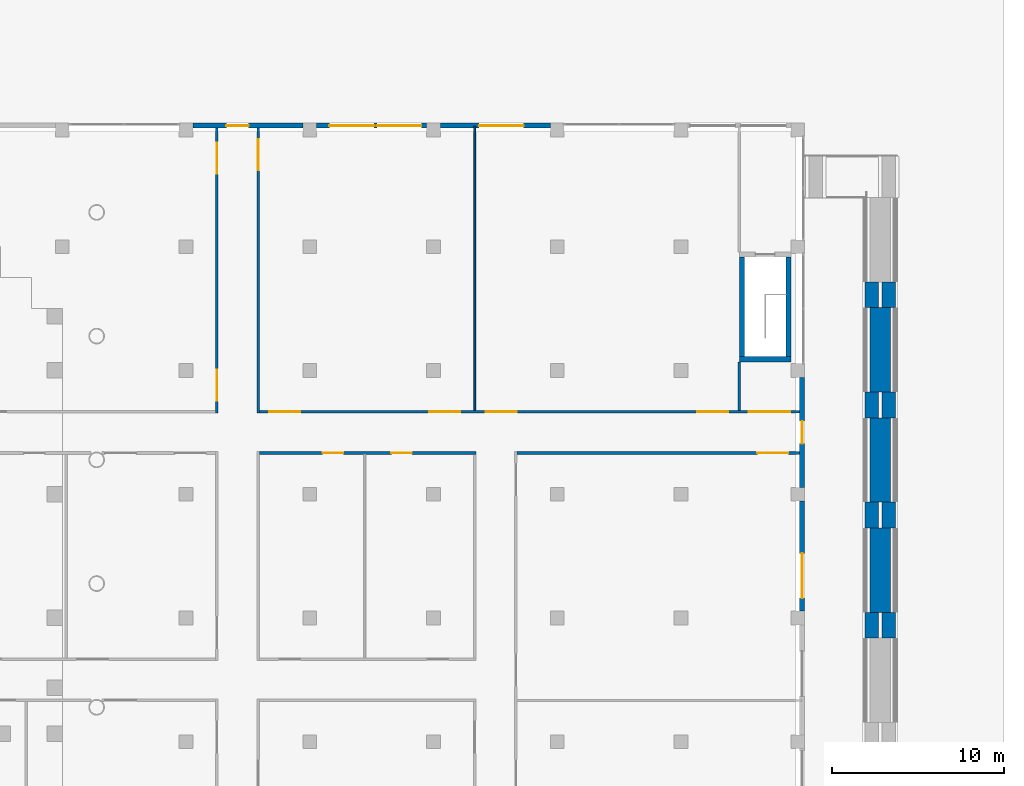
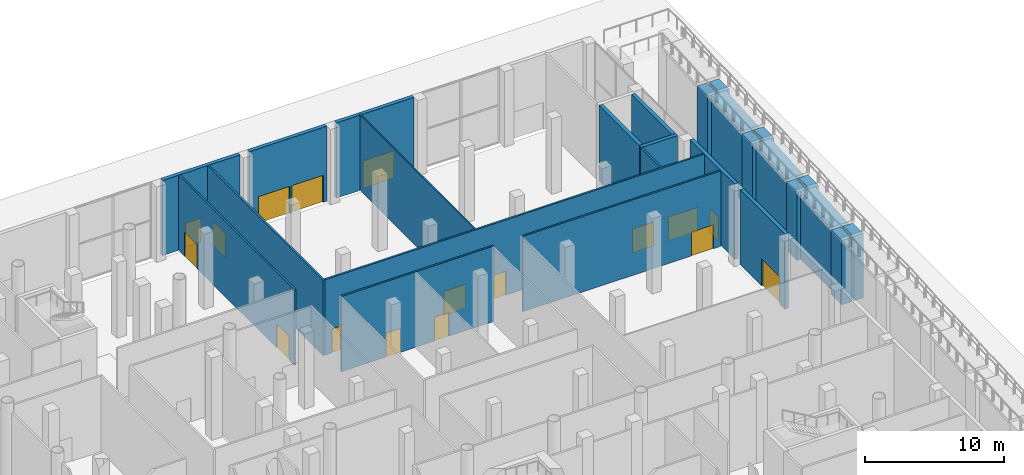
# One storey, part 29 of 44: 26 walls, 17 doors, 17 openings.
"""IFC4 building model written with IfcOpenShell, lengths in metres."""

from ifc_helpers import new_model, si_unit, direction, frame, frame_2d, origin, place, context, subcontext, project, spatial, polyline, rectangle, outline, extrude, material, layer, layer_set, type_object, element, fill, save


model = new_model("IFC4")

# Units and contexts
model_context = context("Model", 3, precision=1e-05, world=origin(), true_north=direction((0.0, 1.0)))
body_context = subcontext(model_context, "Body", "Model", "MODEL_VIEW")
ifc_project = project(units=[si_unit("LENGTHUNIT", "METRE"), si_unit("AREAUNIT", "SQUARE_METRE"), si_unit("VOLUMEUNIT", "CUBIC_METRE"), si_unit("PLANEANGLEUNIT", "RADIAN"), si_unit("MASSUNIT", "GRAM", prefix="KILO")], contexts=[model_context])

# Site, building, storey
site_placement = place(None, origin())
site = spatial("IfcSite", under=ifc_project, at=site_placement, CompositionType="ELEMENT")
building_placement = place(site_placement, origin())
building = spatial("IfcBuilding", under=site, at=building_placement, Name="Fustian Cross Tower", CompositionType="ELEMENT")
storey_placement = place(building_placement, origin())
storey = spatial("IfcBuildingStorey", under=building, at=storey_placement, Name="L00", CompositionType="ELEMENT", Elevation=0.0)

# Wall, openings, doors
ifc_material_1 = material(Name="Plasterboard on steel stud", Category="steel")
ifc_layer_1 = layer(ifc_material_1, 0.14990234375)
ifc_layer_set_1 = layer_set([ifc_layer_1], Name="Plasterboard on steel stud")
wall_type_1 = type_object("IfcWallType", Name="COMPARTMENT WALL 150 EI 60", PredefinedType="PARTITIONING", material=ifc_layer_set_1)
wall_1_placement = place(storey_placement, frame((16.199951171875, 33.52490234375, 0.0), z_axis=(0.0, 0.0, 1.0), x_axis=(0.0, 1.0, 0.0)))
wall_1 = element("IfcWall", 1, at=wall_1_placement, inside=storey, type_object=wall_type_1, Name="Partition 113", PredefinedType="PARTITIONING", context=body_context, shape_type="SweptSolid", body=[
    extrude(rectangle(XDim=16.695068359375, YDim=0.14990234375, at=frame_2d((8.34765625, 0.0))), origin(), (0.0, 0.0, 1.0), 6.60009765625),
])
opening_1_placement = place(wall_1_placement, frame((0.72509765625, 0.0, 0.0)))
opening_1 = element("IfcOpeningElement", 2, at=opening_1_placement, cuts=wall_1, Name="Opening D02057", PredefinedType="OPENING", context=body_context, shape_type="SweptSolid", body=[
    extrude(rectangle(XDim=1.800048828125, YDim=2.10009765625, at=frame_2d((0.89990234375, 1.050048828125))), frame((0.0, 0.0849609375, 0.0), z_axis=(0.0, -1.0, 0.0), x_axis=(1.0, 0.0, 0.0)), (0.0, 0.0, 1.0), 0.169921875),
])
opening_2_placement = place(wall_1_placement, frame((13.925048828125, 0.0, 0.0)))
opening_2 = element("IfcOpeningElement", 3, at=opening_2_placement, cuts=wall_1, Name="Opening D02058", PredefinedType="OPENING", context=body_context, shape_type="SweptSolid", body=[
    extrude(rectangle(XDim=1.800048828125, YDim=2.10009765625, at=frame_2d((0.89990234375, 1.050048828125))), frame((0.0, 0.0849609375, 0.0), z_axis=(0.0, -1.0, 0.0), x_axis=(1.0, 0.0, 0.0)), (0.0, 0.0, 1.0), 0.169921875),
])
ifc_material_2 = material(Name="Timber fire door set", Category="wood")
door_type_1 = type_object("IfcDoorType", Name="FIRE DOUBLE DOOR 1800 FD30S", OperationType="DOUBLE_DOOR_DOUBLE_SWING", PredefinedType="DOOR", material=ifc_material_2)
door_1_placement = place(opening_1_placement, frame((1.800048828125, 0.0, 0.0), z_axis=(0.0, 0.0, 1.0), x_axis=(-1.0, 0.0, 0.0)))
door_1 = element("IfcDoor", 4, at=door_1_placement, inside=storey, type_object=door_type_1, Name="Door D02057", OperationType="DOUBLE_DOOR_DOUBLE_SWING", OverallHeight=2.10009765625, OverallWidth=1.800048828125, PredefinedType="DOOR", context=body_context, shape_type="SweptSolid", body=[
    extrude(rectangle(XDim=1.800048828125, YDim=2.10009765625, at=frame_2d((0.89990234375, 1.050048828125))), frame((0.0, 0.02490234375, 0.0), z_axis=(0.0, -1.0, 0.0), x_axis=(1.0, 0.0, 0.0)), (0.0, 0.0, 1.0), 0.050048828125),
])
fill(opening_1, door_1)
door_2_placement = place(opening_2_placement, frame((1.800048828125, 0.0, 0.0), z_axis=(0.0, 0.0, 1.0), x_axis=(-1.0, 0.0, 0.0)))
door_2 = element("IfcDoor", 5, at=door_2_placement, inside=storey, type_object=door_type_1, Name="Door D02058", OperationType="DOUBLE_DOOR_DOUBLE_SWING", OverallHeight=2.10009765625, OverallWidth=1.800048828125, PredefinedType="DOOR", context=body_context, shape_type="SweptSolid", body=[
    extrude(rectangle(XDim=1.800048828125, YDim=2.10009765625, at=frame_2d((0.89990234375, 1.050048828125))), frame((0.0, 0.02490234375, 0.0), z_axis=(0.0, -1.0, 0.0), x_axis=(1.0, 0.0, 0.0)), (0.0, 0.0, 1.0), 0.050048828125),
])
fill(opening_2, door_2)

wall_2_placement = place(storey_placement, frame((18.675048828125, 31.199951171875, 0.0), z_axis=(0.0, 0.0, 1.0), x_axis=(1.0, 0.0, 0.0)))
wall_2 = element("IfcWall", 6, at=wall_2_placement, inside=storey, type_object=wall_type_1, Name="Partition 124", PredefinedType="PARTITIONING", context=body_context, shape_type="SweptSolid", body=[
    extrude(rectangle(XDim=12.599853515625, YDim=0.14990234375, at=frame_2d((6.2998046875, 0.0))), origin(), (0.0, 0.0, 1.0), 6.60009765625),
])
opening_3_placement = place(wall_2_placement, frame((3.679931640625, 0.0, 0.0)))
opening_3 = element("IfcOpeningElement", 7, at=opening_3_placement, cuts=wall_2, Name="Opening D02049", PredefinedType="OPENING", context=body_context, shape_type="SweptSolid", body=[
    extrude(rectangle(XDim=1.199951171875, YDim=2.10009765625, at=frame_2d((0.60009765625, 1.050048828125))), frame((0.0, 0.0849609375, 0.0), z_axis=(0.0, -1.0, 0.0), x_axis=(1.0, 0.0, 0.0)), (0.0, 0.0, 1.0), 0.169921875),
])
opening_4_placement = place(wall_2_placement, frame((7.675048828125, 0.0, 0.0)))
opening_4 = element("IfcOpeningElement", 8, at=opening_4_placement, cuts=wall_2, Name="Opening D02050", PredefinedType="OPENING", context=body_context, shape_type="SweptSolid", body=[
    extrude(rectangle(XDim=1.199951171875, YDim=2.10009765625, at=frame_2d((0.60009765625, 1.050048828125))), frame((0.0, 0.0849609375, 0.0), z_axis=(0.0, -1.0, 0.0), x_axis=(1.0, 0.0, 0.0)), (0.0, 0.0, 1.0), 0.169921875),
])
ifc_material_3 = material(Name="Timber fire door set", Category="wood")
door_type_2 = type_object("IfcDoorType", Name="FIRE SWING DOOR 1200 FD30S", OperationType="SINGLE_SWING_LEFT", PredefinedType="DOOR", material=ifc_material_3)
door_3_placement = place(opening_3_placement, frame((1.199951171875, 0.0, 0.0), z_axis=(0.0, 0.0, 1.0), x_axis=(-1.0, 0.0, 0.0)))
door_3 = element("IfcDoor", 9, at=door_3_placement, inside=storey, type_object=door_type_2, Name="Door D02049", OperationType="SINGLE_SWING_LEFT", OverallHeight=2.10009765625, OverallWidth=1.199951171875, PredefinedType="DOOR", context=body_context, shape_type="SweptSolid", body=[
    extrude(rectangle(XDim=1.199951171875, YDim=2.10009765625, at=frame_2d((0.60009765625, 1.050048828125))), frame((0.0, 0.02490234375, 0.0), z_axis=(0.0, -1.0, 0.0), x_axis=(1.0, 0.0, 0.0)), (0.0, 0.0, 1.0), 0.050048828125),
])
fill(opening_3, door_3)
door_4_placement = place(opening_4_placement, frame((1.199951171875, 0.0, 0.0), z_axis=(0.0, 0.0, 1.0), x_axis=(-1.0, 0.0, 0.0)))
door_4 = element("IfcDoor", 10, at=door_4_placement, inside=storey, type_object=door_type_2, Name="Door D02050", OperationType="SINGLE_SWING_RIGHT", OverallHeight=2.10009765625, OverallWidth=1.199951171875, PredefinedType="DOOR", context=body_context, shape_type="SweptSolid", body=[
    extrude(rectangle(XDim=1.199951171875, YDim=2.10009765625, at=frame_2d((0.60009765625, 1.050048828125))), frame((0.0, 0.02490234375, 0.0), z_axis=(0.0, -1.0, 0.0), x_axis=(1.0, 0.0, 0.0)), (0.0, 0.0, 1.0), 0.050048828125),
])
fill(opening_4, door_4)

# Wall, opening, door
wall_3_placement = place(storey_placement, frame((18.60009765625, 33.52490234375, 0.0), z_axis=(0.0, 0.0, 1.0), x_axis=(0.0, 1.0, 0.0)))
wall_3 = element("IfcWall", 11, at=wall_3_placement, inside=storey, type_object=wall_type_1, Name="Partition 125", PredefinedType="PARTITIONING", context=body_context, shape_type="SweptSolid", body=[
    extrude(rectangle(XDim=16.695068359375, YDim=0.14990234375, at=frame_2d((8.34765625, 0.0))), origin(), (0.0, 0.0, 1.0), 6.60009765625),
])
opening_5_placement = place(wall_3_placement, frame((14.125, 0.0, 0.0)))
opening_5 = element("IfcOpeningElement", 12, at=opening_5_placement, cuts=wall_3, Name="Opening D02059", PredefinedType="OPENING", context=body_context, shape_type="SweptSolid", body=[
    extrude(rectangle(XDim=1.800048828125, YDim=2.10009765625, at=frame_2d((0.89990234375, 1.050048828125))), frame((0.0, 0.0849609375, 0.0), z_axis=(0.0, -1.0, 0.0), x_axis=(1.0, 0.0, 0.0)), (0.0, 0.0, 1.0), 0.169921875),
])
door_5_placement = place(opening_5_placement, origin())
door_5 = element("IfcDoor", 13, at=door_5_placement, inside=storey, type_object=door_type_1, Name="Door D02059", OperationType="DOUBLE_DOOR_DOUBLE_SWING", OverallHeight=2.10009765625, OverallWidth=1.800048828125, PredefinedType="DOOR", context=body_context, shape_type="SweptSolid", body=[
    extrude(rectangle(XDim=1.800048828125, YDim=2.10009765625, at=frame_2d((0.89990234375, 1.050048828125))), frame((0.0, 0.02490234375, 0.0), z_axis=(0.0, -1.0, 0.0), x_axis=(1.0, 0.0, 0.0)), (0.0, 0.0, 1.0), 0.050048828125),
])
fill(opening_5, door_5)

# Wall, openings, doors
wall_4_placement = place(storey_placement, frame((18.675048828125, 33.60009765625, 0.0), z_axis=(0.0, 0.0, 1.0), x_axis=(1.0, 0.0, 0.0)))
wall_4 = element("IfcWall", 14, at=wall_4_placement, inside=storey, type_object=wall_type_1, Name="Partition 126", PredefinedType="PARTITIONING", context=body_context, shape_type="SweptSolid", body=[
    extrude(rectangle(XDim=31.544921875, YDim=0.14990234375, at=frame_2d((15.7724609375, 0.0))), origin(), (0.0, 0.0, 1.0), 6.60009765625),
])
opening_6_placement = place(wall_4_placement, frame((28.47509765625, 0.0, 0.0)))
opening_6 = element("IfcOpeningElement", 15, at=opening_6_placement, cuts=wall_4, Name="Opening D02025", PredefinedType="OPENING", context=body_context, shape_type="SweptSolid", body=[
    extrude(rectangle(XDim=2.39990234375, YDim=2.10009765625, at=frame_2d((1.199951171875, 1.050048828125))), frame((0.0, 0.0849609375, 0.0), z_axis=(0.0, -1.0, 0.0), x_axis=(1.0, 0.0, 0.0)), (0.0, 0.0, 1.0), 0.169921875),
])
opening_7_placement = place(wall_4_placement, frame((0.574951171875, 0.0, 0.0)))
opening_7 = element("IfcOpeningElement", 16, at=opening_7_placement, cuts=wall_4, Name="Opening D02060", PredefinedType="OPENING", context=body_context, shape_type="SweptSolid", body=[
    extrude(rectangle(XDim=1.800048828125, YDim=2.10009765625, at=frame_2d((0.89990234375, 1.050048828125))), frame((0.0, 0.0849609375, 0.0), z_axis=(0.0, -1.0, 0.0), x_axis=(1.0, 0.0, 0.0)), (0.0, 0.0, 1.0), 0.169921875),
])
opening_8_placement = place(wall_4_placement, frame((9.875, 0.0, 0.0)))
opening_8 = element("IfcOpeningElement", 17, at=opening_8_placement, cuts=wall_4, Name="Opening D02061", PredefinedType="OPENING", context=body_context, shape_type="SweptSolid", body=[
    extrude(rectangle(XDim=1.800048828125, YDim=2.10009765625, at=frame_2d((0.89990234375, 1.050048828125))), frame((0.0, 0.0849609375, 0.0), z_axis=(0.0, -1.0, 0.0), x_axis=(1.0, 0.0, 0.0)), (0.0, 0.0, 1.0), 0.169921875),
])
opening_9_placement = place(wall_4_placement, frame((13.175048828125, 0.0, 0.0)))
opening_9 = element("IfcOpeningElement", 18, at=opening_9_placement, cuts=wall_4, Name="Opening D02062", PredefinedType="OPENING", context=body_context, shape_type="SweptSolid", body=[
    extrude(rectangle(XDim=1.800048828125, YDim=2.10009765625, at=frame_2d((0.89990234375, 1.050048828125))), frame((0.0, 0.0849609375, 0.0), z_axis=(0.0, -1.0, 0.0), x_axis=(1.0, 0.0, 0.0)), (0.0, 0.0, 1.0), 0.169921875),
])
opening_10_placement = place(wall_4_placement, frame((25.47509765625, 0.0, 0.0)))
opening_10 = element("IfcOpeningElement", 19, at=opening_10_placement, cuts=wall_4, Name="Opening D02063", PredefinedType="OPENING", context=body_context, shape_type="SweptSolid", body=[
    extrude(rectangle(XDim=1.800048828125, YDim=2.10009765625, at=frame_2d((0.89990234375, 1.050048828125))), frame((0.0, 0.0849609375, 0.0), z_axis=(0.0, -1.0, 0.0), x_axis=(1.0, 0.0, 0.0)), (0.0, 0.0, 1.0), 0.169921875),
])
door_6_placement = place(opening_7_placement, frame((1.800048828125, 0.0, 0.0), z_axis=(0.0, 0.0, 1.0), x_axis=(-1.0, 0.0, 0.0)))
door_6 = element("IfcDoor", 20, at=door_6_placement, inside=storey, type_object=door_type_1, Name="Door D02060", OperationType="DOUBLE_DOOR_DOUBLE_SWING", OverallHeight=2.10009765625, OverallWidth=1.800048828125, PredefinedType="DOOR", context=body_context, shape_type="SweptSolid", body=[
    extrude(rectangle(XDim=1.800048828125, YDim=2.10009765625, at=frame_2d((0.89990234375, 1.050048828125))), frame((0.0, 0.02490234375, 0.0), z_axis=(0.0, -1.0, 0.0), x_axis=(1.0, 0.0, 0.0)), (0.0, 0.0, 1.0), 0.050048828125),
])
fill(opening_7, door_6)
door_7_placement = place(opening_8_placement, frame((1.800048828125, 0.0, 0.0), z_axis=(0.0, 0.0, 1.0), x_axis=(-1.0, 0.0, 0.0)))
door_7 = element("IfcDoor", 21, at=door_7_placement, inside=storey, type_object=door_type_1, Name="Door D02061", OperationType="DOUBLE_DOOR_DOUBLE_SWING", OverallHeight=2.10009765625, OverallWidth=1.800048828125, PredefinedType="DOOR", context=body_context, shape_type="SweptSolid", body=[
    extrude(rectangle(XDim=1.800048828125, YDim=2.10009765625, at=frame_2d((0.89990234375, 1.050048828125))), frame((0.0, 0.02490234375, 0.0), z_axis=(0.0, -1.0, 0.0), x_axis=(1.0, 0.0, 0.0)), (0.0, 0.0, 1.0), 0.050048828125),
])
fill(opening_8, door_7)
door_8_placement = place(opening_9_placement, frame((1.800048828125, 0.0, 0.0), z_axis=(0.0, 0.0, 1.0), x_axis=(-1.0, 0.0, 0.0)))
door_8 = element("IfcDoor", 22, at=door_8_placement, inside=storey, type_object=door_type_1, Name="Door D02062", OperationType="DOUBLE_DOOR_DOUBLE_SWING", OverallHeight=2.10009765625, OverallWidth=1.800048828125, PredefinedType="DOOR", context=body_context, shape_type="SweptSolid", body=[
    extrude(rectangle(XDim=1.800048828125, YDim=2.10009765625, at=frame_2d((0.89990234375, 1.050048828125))), frame((0.0, 0.02490234375, 0.0), z_axis=(0.0, -1.0, 0.0), x_axis=(1.0, 0.0, 0.0)), (0.0, 0.0, 1.0), 0.050048828125),
])
fill(opening_9, door_8)
door_9_placement = place(opening_10_placement, frame((1.800048828125, 0.0, 0.0), z_axis=(0.0, 0.0, 1.0), x_axis=(-1.0, 0.0, 0.0)))
door_9 = element("IfcDoor", 23, at=door_9_placement, inside=storey, type_object=door_type_1, Name="Door D02063", OperationType="DOUBLE_DOOR_DOUBLE_SWING", OverallHeight=2.10009765625, OverallWidth=1.800048828125, PredefinedType="DOOR", context=body_context, shape_type="SweptSolid", body=[
    extrude(rectangle(XDim=1.800048828125, YDim=2.10009765625, at=frame_2d((0.89990234375, 1.050048828125))), frame((0.0, 0.02490234375, 0.0), z_axis=(0.0, -1.0, 0.0), x_axis=(1.0, 0.0, 0.0)), (0.0, 0.0, 1.0), 0.050048828125),
])
fill(opening_10, door_9)
ifc_material_4 = material(Name="Timber fire door set", Category="wood")
door_type_3 = type_object("IfcDoorType", Name="FIRE DOUBLE DOOR 2400 FD30S", OperationType="DOUBLE_DOOR_DOUBLE_SWING", PredefinedType="DOOR", material=ifc_material_4)
door_10_placement = place(opening_6_placement, frame((2.39990234375, 0.0, 0.0), z_axis=(0.0, 0.0, 1.0), x_axis=(-1.0, 0.0, 0.0)))
door_10 = element("IfcDoor", 24, at=door_10_placement, inside=storey, type_object=door_type_3, Name="Door D02025", OperationType="DOUBLE_DOOR_DOUBLE_SWING", OverallHeight=2.10009765625, OverallWidth=2.39990234375, PredefinedType="DOOR", context=body_context, shape_type="SweptSolid", body=[
    extrude(rectangle(XDim=2.39990234375, YDim=2.10009765625, at=frame_2d((1.199951171875, 1.050048828125))), frame((0.0, 0.02490234375, 0.0), z_axis=(0.0, -1.0, 0.0), x_axis=(1.0, 0.0, 0.0)), (0.0, 0.0, 1.0), 0.050048828125),
])
fill(opening_6, door_10)

# Wall, opening, door
wall_5_placement = place(storey_placement, frame((33.675048828125, 31.199951171875, 0.0), z_axis=(0.0, 0.0, 1.0), x_axis=(1.0, 0.0, 0.0)))
wall_5 = element("IfcWall", 25, at=wall_5_placement, inside=storey, type_object=wall_type_1, Name="Partition 147", PredefinedType="PARTITIONING", context=body_context, shape_type="SweptSolid", body=[
    extrude(rectangle(XDim=16.544921875, YDim=0.14990234375, at=frame_2d((8.2724609375, 0.0))), origin(), (0.0, 0.0, 1.0), 6.60009765625),
])
opening_11_placement = place(wall_5_placement, frame((13.97509765625, 0.0, 0.0)))
opening_11 = element("IfcOpeningElement", 26, at=opening_11_placement, cuts=wall_5, Name="Opening D02055", PredefinedType="OPENING", context=body_context, shape_type="SweptSolid", body=[
    extrude(rectangle(XDim=1.800048828125, YDim=2.10009765625, at=frame_2d((0.89990234375, 1.050048828125))), frame((0.0, 0.0849609375, 0.0), z_axis=(0.0, -1.0, 0.0), x_axis=(1.0, 0.0, 0.0)), (0.0, 0.0, 1.0), 0.169921875),
])
door_11_placement = place(opening_11_placement, origin())
door_11 = element("IfcDoor", 27, at=door_11_placement, inside=storey, type_object=door_type_1, Name="Door D02055", OperationType="DOUBLE_DOOR_DOUBLE_SWING", OverallHeight=2.10009765625, OverallWidth=1.800048828125, PredefinedType="DOOR", context=body_context, shape_type="SweptSolid", body=[
    extrude(rectangle(XDim=1.800048828125, YDim=2.10009765625, at=frame_2d((0.89990234375, 1.050048828125))), frame((0.0, 0.02490234375, 0.0), z_axis=(0.0, -1.0, 0.0), x_axis=(1.0, 0.0, 0.0)), (0.0, 0.0, 1.0), 0.050048828125),
])
fill(opening_11, door_11)

# Wall
wall_6_placement = place(storey_placement, frame((46.60009765625, 33.675048828125, 0.0), z_axis=(0.0, 0.0, 1.0), x_axis=(0.0, 1.0, 0.0)))
element("IfcWall", 28, at=wall_6_placement, inside=storey, type_object=wall_type_1, Name="Partition 153", PredefinedType="PARTITIONING", context=body_context, shape_type="SweptSolid", body=[
    extrude(rectangle(XDim=2.824951171875, YDim=0.14990234375, at=frame_2d((1.41259765625, 0.0))), origin(), (0.0, 0.0, 1.0), 6.60009765625),
])

# Wall, opening, door
ifc_material_5 = material(Name="Dark rainscreen cladding on blockwork", Category="masonry")
ifc_layer_2 = layer(ifc_material_5, 0.300048828125)
ifc_layer_set_2 = layer_set([ifc_layer_2], Name="Dark rainscreen cladding on blockwork")
wall_type_2 = type_object("IfcWallType", Name="EXTERNAL WALL 300 CLADDING", PredefinedType="SOLIDWALL", material=ifc_layer_set_2)
wall_7_placement = place(storey_placement, frame((50.25, 22.0, 0.0), z_axis=(0.0, 0.0, 1.0), x_axis=(0.0, 1.0, 0.0)))
wall_7 = element("IfcWall", 29, at=wall_7_placement, inside=storey, type_object=wall_type_2, Name="External wall E11", PredefinedType="SOLIDWALL", context=body_context, shape_type="SweptSolid", body=[
    extrude(rectangle(XDim=6.39990234375, YDim=0.300048828125, at=frame_2d((3.199951171875, 0.0))), origin(), (0.0, 0.0, 1.0), 6.60009765625),
])
opening_12_placement = place(wall_7_placement, frame((0.75, 0.0, 0.0)))
opening_12 = element("IfcOpeningElement", 30, at=opening_12_placement, cuts=wall_7, Name="Opening EDP27", PredefinedType="OPENING", context=body_context, shape_type="SweptSolid", body=[
    extrude(rectangle(XDim=2.60009765625, YDim=2.39990234375, at=frame_2d((1.300048828125, 1.199951171875))), frame((0.0, 0.159912109375, 0.0), z_axis=(0.0, -1.0, 0.0), x_axis=(1.0, 0.0, 0.0)), (0.0, 0.0, 1.0), 0.320068359375),
])
ifc_material_6 = material(Name="Aluminium and glass", Category="aluminium")
door_type_4 = type_object("IfcDoorType", Name="ENTRANCE DOOR 2600", OperationType="DOUBLE_DOOR_SINGLE_SWING", PredefinedType="DOOR", material=ifc_material_6)
door_12_placement = place(opening_12_placement, frame((2.60009765625, 0.0, 0.0), z_axis=(0.0, 0.0, 1.0), x_axis=(-1.0, 0.0, 0.0)))
door_12 = element("IfcDoor", 31, at=door_12_placement, inside=storey, type_object=door_type_4, Name="Exit door 27", OperationType="DOUBLE_DOOR_DOUBLE_SWING", OverallHeight=2.39990234375, OverallWidth=2.60009765625, PredefinedType="DOOR", context=body_context, shape_type="SweptSolid", body=[
    extrude(rectangle(XDim=2.60009765625, YDim=2.39990234375, at=frame_2d((1.300048828125, 1.199951171875))), frame((0.0, 0.02490234375, 0.0), z_axis=(0.0, -1.0, 0.0), x_axis=(1.0, 0.0, 0.0)), (0.0, 0.0, 1.0), 0.050048828125),
])
fill(opening_12, door_12)

wall_8_placement = place(storey_placement, frame((50.25, 29.199951171875, 0.0), z_axis=(0.0, 0.0, 1.0), x_axis=(0.0, 1.0, 0.0)))
wall_8 = element("IfcWall", 32, at=wall_8_placement, inside=storey, type_object=wall_type_2, Name="External wall E12", PredefinedType="SOLIDWALL", context=body_context, shape_type="SweptSolid", body=[
    extrude(rectangle(XDim=6.400146484375, YDim=0.300048828125, at=frame_2d((3.2001953125, 0.0))), origin(), (0.0, 0.0, 1.0), 6.60009765625),
])
opening_13_placement = place(wall_8_placement, frame((2.550048828125, 0.0, 0.0)))
opening_13 = element("IfcOpeningElement", 33, at=opening_13_placement, cuts=wall_8, Name="Opening EDP28", PredefinedType="OPENING", context=body_context, shape_type="SweptSolid", body=[
    extrude(rectangle(XDim=1.300048828125, YDim=2.10009765625, at=frame_2d((0.64990234375, 1.050048828125))), frame((0.0, 0.159912109375, 0.0), z_axis=(0.0, -1.0, 0.0), x_axis=(1.0, 0.0, 0.0)), (0.0, 0.0, 1.0), 0.320068359375),
])
ifc_material_7 = material(Name="Aluminium and glass", Category="aluminium")
door_type_5 = type_object("IfcDoorType", Name="EXIT DOOR 1300", OperationType="SINGLE_SWING_LEFT", PredefinedType="DOOR", material=ifc_material_7)
door_13_placement = place(opening_13_placement, frame((1.300048828125, 0.0, 0.0), z_axis=(0.0, 0.0, 1.0), x_axis=(-1.0, 0.0, 0.0)))
door_13 = element("IfcDoor", 34, at=door_13_placement, inside=storey, type_object=door_type_5, Name="Exit door 28", OperationType="SINGLE_SWING_LEFT", OverallHeight=2.10009765625, OverallWidth=1.300048828125, PredefinedType="DOOR", context=body_context, shape_type="SweptSolid", body=[
    extrude(rectangle(XDim=1.300048828125, YDim=2.10009765625, at=frame_2d((0.64990234375, 1.050048828125))), frame((0.0, 0.02490234375, 0.0), z_axis=(0.0, -1.0, 0.0), x_axis=(1.0, 0.0, 0.0)), (0.0, 0.0, 1.0), 0.050048828125),
])
fill(opening_13, door_13)

wall_9_placement = place(storey_placement, frame((35.60009765625, 50.25, 0.0), z_axis=(0.0, 0.0, 1.0), x_axis=(-1.0, 0.0, 0.0)))
wall_9 = element("IfcWall", 35, at=wall_9_placement, inside=storey, type_object=wall_type_2, Name="External wall N3", PredefinedType="SOLIDWALL", context=body_context, shape_type="SweptSolid", body=[
    extrude(rectangle(XDim=6.400146484375, YDim=0.300048828125, at=frame_2d((3.2001953125, 0.0))), origin(), (0.0, 0.0, 1.0), 6.60009765625),
])
opening_14_placement = place(wall_9_placement, frame((1.550048828125, 0.0, 0.0)))
opening_14 = element("IfcOpeningElement", 36, at=opening_14_placement, cuts=wall_9, Name="Opening EDP31", PredefinedType="OPENING", context=body_context, shape_type="SweptSolid", body=[
    extrude(rectangle(XDim=2.60009765625, YDim=2.39990234375, at=frame_2d((1.300048828125, 1.199951171875))), frame((0.0, 0.159912109375, 0.0), z_axis=(0.0, -1.0, 0.0), x_axis=(1.0, 0.0, 0.0)), (0.0, 0.0, 1.0), 0.320068359375),
])
door_14_placement = place(opening_14_placement, frame((2.60009765625, 0.0, 0.0), z_axis=(0.0, 0.0, 1.0), x_axis=(-1.0, 0.0, 0.0)))
door_14 = element("IfcDoor", 37, at=door_14_placement, inside=storey, type_object=door_type_4, Name="Exit door 31", OperationType="DOUBLE_DOOR_DOUBLE_SWING", OverallHeight=2.39990234375, OverallWidth=2.60009765625, PredefinedType="DOOR", context=body_context, shape_type="SweptSolid", body=[
    extrude(rectangle(XDim=2.60009765625, YDim=2.39990234375, at=frame_2d((1.300048828125, 1.199951171875))), frame((0.0, 0.02490234375, 0.0), z_axis=(0.0, -1.0, 0.0), x_axis=(1.0, 0.0, 0.0)), (0.0, 0.0, 1.0), 0.050048828125),
])
fill(opening_14, door_14)

# Wall, openings, doors
wall_10_placement = place(storey_placement, frame((28.39990234375, 50.25, 0.0), z_axis=(0.0, 0.0, 1.0), x_axis=(-1.0, 0.0, 0.0)))
wall_10 = element("IfcWall", 38, at=wall_10_placement, inside=storey, type_object=wall_type_2, Name="External wall N4", PredefinedType="SOLIDWALL", context=body_context, shape_type="SweptSolid", body=[
    extrude(rectangle(XDim=6.39990234375, YDim=0.300048828125, at=frame_2d((3.199951171875, 0.0))), origin(), (0.0, 0.0, 1.0), 6.60009765625),
])
opening_15_placement = place(wall_10_placement, frame((0.300048828125, 0.0, 0.0)))
opening_15 = element("IfcOpeningElement", 39, at=opening_15_placement, cuts=wall_10, Name="Opening EDP32", PredefinedType="OPENING", context=body_context, shape_type="SweptSolid", body=[
    extrude(rectangle(XDim=2.60009765625, YDim=2.39990234375, at=frame_2d((1.300048828125, 1.199951171875))), frame((0.0, 0.159912109375, 0.0), z_axis=(0.0, -1.0, 0.0), x_axis=(1.0, 0.0, 0.0)), (0.0, 0.0, 1.0), 0.320068359375),
])
opening_16_placement = place(wall_10_placement, frame((3.050048828125, 0.0, 0.0)))
opening_16 = element("IfcOpeningElement", 40, at=opening_16_placement, cuts=wall_10, Name="Opening EDP33", PredefinedType="OPENING", context=body_context, shape_type="SweptSolid", body=[
    extrude(rectangle(XDim=2.60009765625, YDim=2.39990234375, at=frame_2d((1.300048828125, 1.199951171875))), frame((0.0, 0.159912109375, 0.0), z_axis=(0.0, -1.0, 0.0), x_axis=(1.0, 0.0, 0.0)), (0.0, 0.0, 1.0), 0.320068359375),
])
door_15_placement = place(opening_15_placement, frame((2.60009765625, 0.0, 0.0), z_axis=(0.0, 0.0, 1.0), x_axis=(-1.0, 0.0, 0.0)))
door_15 = element("IfcDoor", 41, at=door_15_placement, inside=storey, type_object=door_type_4, Name="Exit door 32", OperationType="DOUBLE_DOOR_DOUBLE_SWING", OverallHeight=2.39990234375, OverallWidth=2.60009765625, PredefinedType="DOOR", context=body_context, shape_type="SweptSolid", body=[
    extrude(rectangle(XDim=2.60009765625, YDim=2.39990234375, at=frame_2d((1.300048828125, 1.199951171875))), frame((0.0, 0.02490234375, 0.0), z_axis=(0.0, -1.0, 0.0), x_axis=(1.0, 0.0, 0.0)), (0.0, 0.0, 1.0), 0.050048828125),
])
fill(opening_15, door_15)
door_16_placement = place(opening_16_placement, frame((2.60009765625, 0.0, 0.0), z_axis=(0.0, 0.0, 1.0), x_axis=(-1.0, 0.0, 0.0)))
door_16 = element("IfcDoor", 42, at=door_16_placement, inside=storey, type_object=door_type_4, Name="Exit door 33", OperationType="DOUBLE_DOOR_DOUBLE_SWING", OverallHeight=2.39990234375, OverallWidth=2.60009765625, PredefinedType="DOOR", context=body_context, shape_type="SweptSolid", body=[
    extrude(rectangle(XDim=2.60009765625, YDim=2.39990234375, at=frame_2d((1.300048828125, 1.199951171875))), frame((0.0, 0.02490234375, 0.0), z_axis=(0.0, -1.0, 0.0), x_axis=(1.0, 0.0, 0.0)), (0.0, 0.0, 1.0), 0.050048828125),
])
fill(opening_16, door_16)

# Wall, opening, door
wall_11_placement = place(storey_placement, frame((21.199951171875, 50.25, 0.0), z_axis=(0.0, 0.0, 1.0), x_axis=(-1.0, 0.0, 0.0)))
wall_11 = element("IfcWall", 43, at=wall_11_placement, inside=storey, type_object=wall_type_2, Name="External wall N5", PredefinedType="SOLIDWALL", context=body_context, shape_type="SweptSolid", body=[
    extrude(rectangle(XDim=6.39990234375, YDim=0.300048828125, at=frame_2d((3.199951171875, 0.0))), origin(), (0.0, 0.0, 1.0), 6.60009765625),
])
opening_17_placement = place(wall_11_placement, frame((3.14990234375, 0.0, 0.0)))
opening_17 = element("IfcOpeningElement", 44, at=opening_17_placement, cuts=wall_11, Name="Opening EDP34", PredefinedType="OPENING", context=body_context, shape_type="SweptSolid", body=[
    extrude(rectangle(XDim=1.300048828125, YDim=2.10009765625, at=frame_2d((0.64990234375, 1.050048828125))), frame((0.0, 0.159912109375, 0.0), z_axis=(0.0, -1.0, 0.0), x_axis=(1.0, 0.0, 0.0)), (0.0, 0.0, 1.0), 0.320068359375),
])
door_17_placement = place(opening_17_placement, frame((1.300048828125, 0.0, 0.0), z_axis=(0.0, 0.0, 1.0), x_axis=(-1.0, 0.0, 0.0)))
door_17 = element("IfcDoor", 45, at=door_17_placement, inside=storey, type_object=door_type_5, Name="Exit door 34", OperationType="SINGLE_SWING_LEFT", OverallHeight=2.10009765625, OverallWidth=1.300048828125, PredefinedType="DOOR", context=body_context, shape_type="SweptSolid", body=[
    extrude(rectangle(XDim=1.300048828125, YDim=2.10009765625, at=frame_2d((0.64990234375, 1.050048828125))), frame((0.0, 0.02490234375, 0.0), z_axis=(0.0, -1.0, 0.0), x_axis=(1.0, 0.0, 0.0)), (0.0, 0.0, 1.0), 0.050048828125),
])
fill(opening_17, door_17)

# Walls
ifc_material_8 = material(Name="Plasterboard on steel stud", Category="steel")
ifc_layer_3 = layer(ifc_material_8, 0.10009765625)
ifc_layer_set_3 = layer_set([ifc_layer_3], Name="Plasterboard on steel stud")
wall_type_3 = type_object("IfcWallType", Name="PARTITION 100 STUD", PredefinedType="PARTITIONING", material=ifc_layer_set_3)
wall_12_placement = place(storey_placement, frame((31.199951171875, 33.675048828125, 0.0), z_axis=(0.0, 0.0, 1.0), x_axis=(0.0, 1.0, 0.0)))
element("IfcWall", 46, at=wall_12_placement, inside=storey, type_object=wall_type_3, Name="Partition 139", PredefinedType="PARTITIONING", context=body_context, shape_type="SweptSolid", body=[
    extrude(rectangle(XDim=16.544921875, YDim=0.10009765625, at=frame_2d((8.2724609375, 0.0))), origin(), (0.0, 0.0, 1.0), 6.60009765625),
])
ifc_material_9 = material(Name="Concrete C40/50", Category="concrete")
ifc_layer_4 = layer(ifc_material_9, 1.199951171875)
ifc_layer_set_4 = layer_set([ifc_layer_4], Name="Concrete C40/50")
wall_type_4 = type_object("IfcWallType", Name="RAMP BANK WALL 1200", PredefinedType="SOLIDWALL", material=ifc_layer_set_4)
wall_13_placement = place(storey_placement, frame((54.800048828125, 21.92724609375, 0.0), z_axis=(0.0, 0.0, 1.0), x_axis=(0.0, 1.0, 0.0)))
element("IfcWall", 47, at=wall_13_placement, inside=storey, type_object=wall_type_4, Name="Ramp bank wall 19", PredefinedType="SOLIDWALL", context=body_context, shape_type="SweptSolid", body=[
    extrude(outline(polyline([(0.0, 0.0), (4.9091796875, 0.0), (4.9091796875, 5.967529296875), (0.0, 5.640380859375), (0.0, 0.0)])), frame((0.0, 0.60009765625, 0.0), z_axis=(0.0, -1.0, 0.0), x_axis=(1.0, 0.0, 0.0)), (0.0, 0.0, 1.0), 1.199951171875),
])
wall_14_placement = place(storey_placement, frame((54.800048828125, 28.33642578125, 0.0), z_axis=(0.0, 0.0, 1.0), x_axis=(0.0, 1.0, 0.0)))
element("IfcWall", 48, at=wall_14_placement, inside=storey, type_object=wall_type_4, Name="Ramp bank wall 20", PredefinedType="SOLIDWALL", context=body_context, shape_type="SweptSolid", body=[
    extrude(outline(polyline([(0.0, 0.0), (4.908935546875, 0.0), (4.9091796875, 6.294921875), (0.0, 5.967529296875), (0.0, 0.0)])), frame((0.0, 0.60009765625, 0.0), z_axis=(0.0, -1.0, 0.0), x_axis=(1.0, 0.0, 0.0)), (0.0, 0.0, 1.0), 1.199951171875),
])
wall_15_placement = place(storey_placement, frame((54.800048828125, 34.745361328125, 0.0), z_axis=(0.0, 0.0, 1.0), x_axis=(0.0, 1.0, 0.0)))
element("IfcWall", 49, at=wall_15_placement, inside=storey, type_object=wall_type_4, Name="Ramp bank wall 21", PredefinedType="SOLIDWALL", context=body_context, shape_type="SweptSolid", body=[
    extrude(outline(polyline([(0.0, 0.0), (4.9091796875, 0.0), (4.9091796875, 6.6220703125), (0.0, 6.294921875), (0.0, 0.0)])), frame((0.0, 0.60009765625, 0.0), z_axis=(0.0, -1.0, 0.0), x_axis=(1.0, 0.0, 0.0)), (0.0, 0.0, 1.0), 1.199951171875),
])
ifc_material_10 = material(Name="Concrete C40/50", Category="concrete")
ifc_layer_5 = layer(ifc_material_10, 0.800048828125)
ifc_layer_set_5 = layer_set([ifc_layer_5], Name="Concrete C40/50")
wall_type_5 = type_object("IfcWallType", Name="RAMP LANDING PIER 800", PredefinedType="SOLIDWALL", material=ifc_layer_set_5)
for number, where, z_axis, x_axis, name in (
    (50, (54.300048828125, 20.42724609375, 0.0), (0.0, 0.0, 1.0), (0.0, 1.0, 0.0), "Ramp landing pier 18W"),
    (51, (55.300048828125, 20.42724609375, 0.0), (0.0, 0.0, 1.0), (0.0, 1.0, 0.0), "Ramp landing pier 18E"),
):
    element("IfcWall", number, at=place(storey_placement, frame(where, z_axis=z_axis, x_axis=x_axis)), inside=storey, type_object=wall_type_5, Name=name, PredefinedType="SOLIDWALL", context=body_context, shape_type="SweptSolid", body=[
        extrude(rectangle(XDim=1.5, YDim=0.800048828125, at=frame_2d((0.75, 0.0))), origin(), (0.0, 0.0, 1.0), 5.640869140625),
    ])
for number, where, z_axis, x_axis, name in (
    (52, (54.300048828125, 26.83642578125, 0.0), (0.0, 0.0, 1.0), (0.0, 1.0, 0.0), "Ramp landing pier 19W"),
    (53, (55.300048828125, 26.83642578125, 0.0), (0.0, 0.0, 1.0), (0.0, 1.0, 0.0), "Ramp landing pier 19E"),
):
    element("IfcWall", number, at=place(storey_placement, frame(where, z_axis=z_axis, x_axis=x_axis)), inside=storey, type_object=wall_type_5, Name=name, PredefinedType="SOLIDWALL", context=body_context, shape_type="SweptSolid", body=[
        extrude(rectangle(XDim=1.5, YDim=0.800048828125, at=frame_2d((0.75, 0.0))), origin(), (0.0, 0.0, 1.0), 5.96826171875),
    ])
for number, where, z_axis, x_axis, name in (
    (54, (54.300048828125, 33.245361328125, 0.0), (0.0, 0.0, 1.0), (0.0, 1.0, 0.0), "Ramp landing pier 20W"),
    (55, (55.300048828125, 33.245361328125, 0.0), (0.0, 0.0, 1.0), (0.0, 1.0, 0.0), "Ramp landing pier 20E"),
):
    element("IfcWall", number, at=place(storey_placement, frame(where, z_axis=z_axis, x_axis=x_axis)), inside=storey, type_object=wall_type_5, Name=name, PredefinedType="SOLIDWALL", context=body_context, shape_type="SweptSolid", body=[
        extrude(rectangle(XDim=1.5, YDim=0.800048828125, at=frame_2d((0.75, 0.0))), origin(), (0.0, 0.0, 1.0), 6.29541015625),
    ])
for number, where, z_axis, x_axis, name in (
    (56, (54.300048828125, 39.654541015625, 0.0), (0.0, 0.0, 1.0), (0.0, 1.0, 0.0), "Ramp landing pier 21W"),
    (57, (55.300048828125, 39.654541015625, 0.0), (0.0, 0.0, 1.0), (0.0, 1.0, 0.0), "Ramp landing pier 21E"),
):
    element("IfcWall", number, at=place(storey_placement, frame(where, z_axis=z_axis, x_axis=x_axis)), inside=storey, type_object=wall_type_5, Name=name, PredefinedType="SOLIDWALL", context=body_context, shape_type="SweptSolid", body=[
        extrude(rectangle(XDim=1.5, YDim=0.800048828125, at=frame_2d((0.75, 0.0))), origin(), (0.0, 0.0, 1.0), 6.622802734375),
    ])
ifc_material_11 = material(Name="Concrete C50/60", Category="concrete")
ifc_layer_6 = layer(ifc_material_11, 0.300048828125)
ifc_layer_set_6 = layer_set([ifc_layer_6], Name="Concrete C50/60")
wall_type_6 = type_object("IfcWallType", Name="STAIR ENCLOSURE WALL 300 C50/60", PredefinedType="SHEAR", material=ifc_layer_set_6)
wall_16_placement = place(storey_placement, frame((46.60009765625, 36.64990234375, 0.0), z_axis=(0.0, 0.0, 1.0), x_axis=(1.0, 0.0, 0.0)))
element("IfcWall", 58, at=wall_16_placement, inside=storey, type_object=wall_type_6, Name="Stair enclosure wall", PredefinedType="SHEAR", context=body_context, shape_type="SweptSolid", body=[
    extrude(rectangle(XDim=3.0, YDim=0.300048828125, at=frame_2d((1.5, 0.0))), origin(), (0.0, 0.0, 1.0), 6.60009765625),
])
for number, where, z_axis, x_axis, name in (
    (59, (46.75, 36.800048828125, 0.0), (0.0, 0.0, 1.0), (0.0, 1.0, 0.0), "Stair enclosure wall"),
    (60, (49.449951171875, 36.800048828125, 0.0), (0.0, 0.0, 1.0), (0.0, 1.0, 0.0), "Stair enclosure wall"),
):
    element("IfcWall", number, at=place(storey_placement, frame(where, z_axis=z_axis, x_axis=x_axis)), inside=storey, type_object=wall_type_6, Name=name, PredefinedType="SHEAR", context=body_context, shape_type="SweptSolid", body=[
        extrude(rectangle(XDim=5.800048828125, YDim=0.300048828125, at=frame_2d((2.89990234375, 0.0))), origin(), (0.0, 0.0, 1.0), 6.60009765625),
    ])

save(model, "model.ifc")
